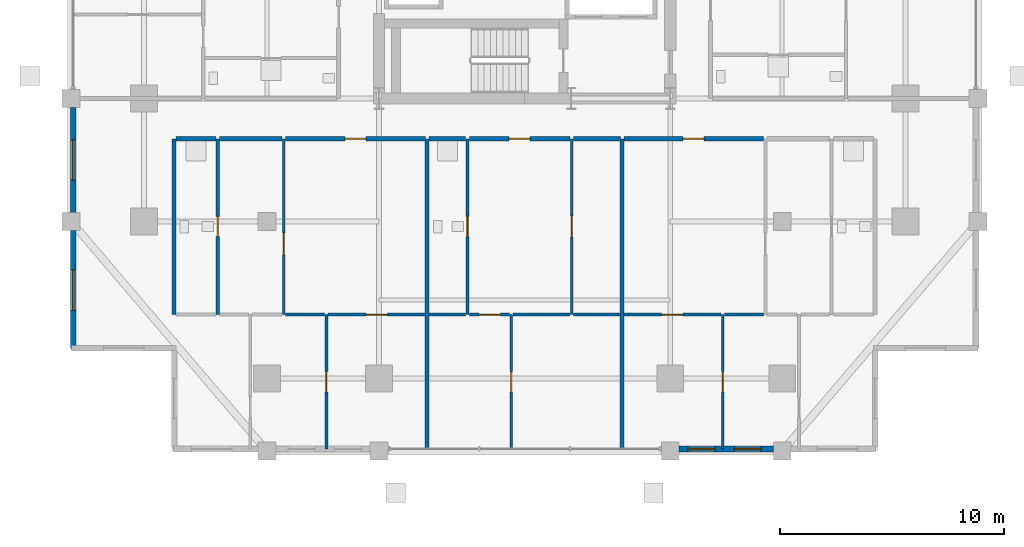
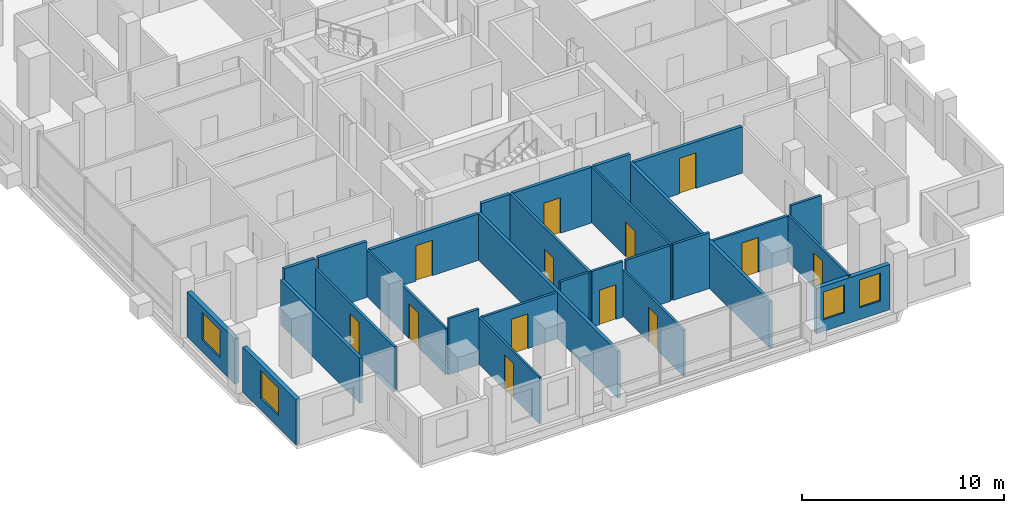
# One storey, part 14 of 20: 28 walls, 13 doors, 4 windows, 17 openings.
"""IFC4 building model written with IfcOpenShell, lengths in metres."""

from ifc_helpers import new_model, si_unit, direction, frame, frame_2d, origin, place, context, subcontext, project, spatial, rectangle, extrude, material, layer, layer_set, type_object, element, fill, save


model = new_model("IFC4")

# Units and contexts
model_context = context("Model", 3, precision=1e-05, world=origin(), true_north=direction((0.0, 1.0)))
body_context = subcontext(model_context, "Body", "Model", "MODEL_VIEW")
ifc_project = project(units=[si_unit("LENGTHUNIT", "METRE"), si_unit("AREAUNIT", "SQUARE_METRE"), si_unit("VOLUMEUNIT", "CUBIC_METRE"), si_unit("PLANEANGLEUNIT", "RADIAN"), si_unit("MASSUNIT", "GRAM", prefix="KILO")], contexts=[model_context])

# Site, building, storey
site_placement = place(None, origin())
site = spatial("IfcSite", under=ifc_project, at=site_placement, CompositionType="ELEMENT")
building_placement = place(site_placement, origin())
building = spatial("IfcBuilding", under=site, at=building_placement, Name="Barlavira Tower and Art Museum", CompositionType="ELEMENT")
storey_placement = place(building_placement, frame((0.0, 0.0, 102.60009765625)))
storey = spatial("IfcBuildingStorey", under=building, at=storey_placement, Name="L25", CompositionType="ELEMENT", Elevation=102.60009765625)

# Wall, opening, door
ifc_material_1 = material(Name="Gypsum acoustic stud partition", Category="gypsum")
ifc_layer_1 = layer(ifc_material_1, 0.1201171875, Name="Gypsum acoustic stud partition")
ifc_layer_set_1 = layer_set([ifc_layer_1], Name="Gypsum acoustic stud partition")
wall_type_1 = type_object("IfcWallType", Name="Apartment Internal Acoustic Partition 120", PredefinedType="PARTITIONING", material=ifc_layer_set_1)
wall_1_placement = place(storey_placement, frame((-10.75, -17.14990234375, 0.0), z_axis=(0.0, 0.0, 1.0), x_axis=(0.0, 1.0, 0.0)))
wall_1 = element("IfcWall", 1, at=wall_1_placement, inside=storey, type_object=wall_type_1, Name="L25 Partition Wall 8", PredefinedType="PARTITIONING", context=body_context, shape_type="SweptSolid", body=[
    extrude(rectangle(XDim=7.849853515625, YDim=0.1201171875, at=frame_2d((3.9248046875, 0.0))), origin(), (0.0, 0.0, 1.0), 2.81591796875),
])
opening_1_placement = place(wall_1_placement, frame((2.681396484375, 0.0, 0.0)))
opening_1 = element("IfcOpeningElement", 2, at=opening_1_placement, cuts=wall_1, Name="Opening D-02", PredefinedType="OPENING", context=body_context, shape_type="SweptSolid", body=[
    extrude(rectangle(XDim=0.949951171875, YDim=2.10009765625, at=frame_2d((0.47509765625, 1.050048828125))), frame((0.0, 0.070068359375, 0.0), z_axis=(0.0, -1.0, 0.0), x_axis=(1.0, 0.0, 0.0)), (0.0, 0.0, 1.0), 0.14013671875),
])
ifc_material_2 = material(Name="Engineered coastal hardwood", Category="wood")
door_type_1 = type_object("IfcDoorType", Name="Living and Salon Glazed-Leaf Door 950x2100", OperationType="NOTDEFINED", PredefinedType="DOOR", material=ifc_material_2)
door_1_placement = place(opening_1_placement, origin())
door_1 = element("IfcDoor", 3, at=door_1_placement, inside=storey, type_object=door_type_1, Name="Apartment S1 Kitchen Door", OperationType="SINGLE_SWING_RIGHT", OverallHeight=2.10009765625, OverallWidth=0.949951171875, PredefinedType="DOOR", context=body_context, shape_type="SweptSolid", body=[
    extrude(rectangle(XDim=0.949951171875, YDim=2.10009765625, at=frame_2d((0.47509765625, 1.050048828125))), frame((0.0, 0.02490234375, 0.0), z_axis=(0.0, -1.0, 0.0), x_axis=(1.0, 0.0, 0.0)), (0.0, 0.0, 1.0), 0.050048828125),
])
fill(opening_1, door_1)

wall_2_placement = place(storey_placement, frame((-8.85009765625, -23.14990234375, 0.0), z_axis=(0.0, 0.0, 1.0), x_axis=(0.0, 1.0, 0.0)))
wall_2 = element("IfcWall", 4, at=wall_2_placement, inside=storey, type_object=wall_type_1, Name="L25 Partition Wall 9", PredefinedType="PARTITIONING", context=body_context, shape_type="SweptSolid", body=[
    extrude(rectangle(XDim=6.0, YDim=0.1201171875, at=frame_2d((3.0, 0.0))), origin(), (0.0, 0.0, 1.0), 2.81591796875),
])
opening_2_placement = place(wall_2_placement, frame((2.550048828125, 0.0, 0.0)))
opening_2 = element("IfcOpeningElement", 5, at=opening_2_placement, cuts=wall_2, Name="Opening D-01", PredefinedType="OPENING", context=body_context, shape_type="SweptSolid", body=[
    extrude(rectangle(XDim=0.89990234375, YDim=2.10009765625, at=frame_2d((0.449951171875, 1.050048828125))), frame((0.0, 0.070068359375, 0.0), z_axis=(0.0, -1.0, 0.0), x_axis=(1.0, 0.0, 0.0)), (0.0, 0.0, 1.0), 0.14013671875),
])
door_type_2 = type_object("IfcDoorType", Name="Internal Bedroom Timber Flush Door 900x2100", OperationType="NOTDEFINED", PredefinedType="DOOR", material=ifc_material_2)
door_2_placement = place(opening_2_placement, origin())
door_2 = element("IfcDoor", 6, at=door_2_placement, inside=storey, type_object=door_type_2, Name="Apartment S1 Bedroom 1 Door", OperationType="SINGLE_SWING_LEFT", OverallHeight=2.10009765625, OverallWidth=0.89990234375, PredefinedType="DOOR", context=body_context, shape_type="SweptSolid", body=[
    extrude(rectangle(XDim=0.89990234375, YDim=2.10009765625, at=frame_2d((0.449951171875, 1.050048828125))), frame((0.0, 0.02490234375, 0.0), z_axis=(0.0, -1.0, 0.0), x_axis=(1.0, 0.0, 0.0)), (0.0, 0.0, 1.0), 0.050048828125),
])
fill(opening_2, door_2)

wall_3_placement = place(storey_placement, frame((-0.60009765625, -23.14990234375, 0.0), z_axis=(0.0, 0.0, 1.0), x_axis=(0.0, 1.0, 0.0)))
wall_3 = element("IfcWall", 7, at=wall_3_placement, inside=storey, type_object=wall_type_1, Name="L25 Partition Wall 15", PredefinedType="PARTITIONING", context=body_context, shape_type="SweptSolid", body=[
    extrude(rectangle(XDim=6.0, YDim=0.1201171875, at=frame_2d((3.0, 0.0))), origin(), (0.0, 0.0, 1.0), 2.81591796875),
])
opening_3_placement = place(wall_3_placement, frame((2.550048828125, 0.0, 0.0)))
opening_3 = element("IfcOpeningElement", 8, at=opening_3_placement, cuts=wall_3, Name="Opening D-01", PredefinedType="OPENING", context=body_context, shape_type="SweptSolid", body=[
    extrude(rectangle(XDim=0.89990234375, YDim=2.10009765625, at=frame_2d((0.449951171875, 1.050048828125))), frame((0.0, 0.070068359375, 0.0), z_axis=(0.0, -1.0, 0.0), x_axis=(1.0, 0.0, 0.0)), (0.0, 0.0, 1.0), 0.14013671875),
])
door_3_placement = place(opening_3_placement, origin())
door_3 = element("IfcDoor", 9, at=door_3_placement, inside=storey, type_object=door_type_2, Name="Apartment S2 Bedroom 1 Door", OperationType="SINGLE_SWING_LEFT", OverallHeight=2.10009765625, OverallWidth=0.89990234375, PredefinedType="DOOR", context=body_context, shape_type="SweptSolid", body=[
    extrude(rectangle(XDim=0.89990234375, YDim=2.10009765625, at=frame_2d((0.449951171875, 1.050048828125))), frame((0.0, 0.02490234375, 0.0), z_axis=(0.0, -1.0, 0.0), x_axis=(1.0, 0.0, 0.0)), (0.0, 0.0, 1.0), 0.050048828125),
])
fill(opening_3, door_3)

wall_4_placement = place(storey_placement, frame((2.10009765625, -17.14990234375, 0.0), z_axis=(0.0, 0.0, 1.0), x_axis=(0.0, 1.0, 0.0)))
wall_4 = element("IfcWall", 10, at=wall_4_placement, inside=storey, type_object=wall_type_1, Name="L25 Partition Wall 17", PredefinedType="PARTITIONING", context=body_context, shape_type="SweptSolid", body=[
    extrude(rectangle(XDim=7.849853515625, YDim=0.1201171875, at=frame_2d((3.9248046875, 0.0))), origin(), (0.0, 0.0, 1.0), 3.3798828125),
])
opening_4_placement = place(wall_4_placement, frame((3.455078125, 0.0, 0.0)))
opening_4 = element("IfcOpeningElement", 11, at=opening_4_placement, cuts=wall_4, Name="Opening D-02", PredefinedType="OPENING", context=body_context, shape_type="SweptSolid", body=[
    extrude(rectangle(XDim=0.949951171875, YDim=2.10009765625, at=frame_2d((0.47509765625, 1.050048828125))), frame((0.0, 0.070068359375, 0.0), z_axis=(0.0, -1.0, 0.0), x_axis=(1.0, 0.0, 0.0)), (0.0, 0.0, 1.0), 0.14013671875),
])
door_4_placement = place(opening_4_placement, origin())
door_4 = element("IfcDoor", 12, at=door_4_placement, inside=storey, type_object=door_type_1, Name="Apartment S2 Kitchen Door", OperationType="SINGLE_SWING_LEFT", OverallHeight=2.10009765625, OverallWidth=0.949951171875, PredefinedType="DOOR", context=body_context, shape_type="SweptSolid", body=[
    extrude(rectangle(XDim=0.949951171875, YDim=2.10009765625, at=frame_2d((0.47509765625, 1.050048828125))), frame((0.0, 0.02490234375, 0.0), z_axis=(0.0, -1.0, 0.0), x_axis=(1.0, 0.0, 0.0)), (0.0, 0.0, 1.0), 0.050048828125),
])
fill(opening_4, door_4)

wall_5_placement = place(storey_placement, frame((8.85009765625, -23.14990234375, 0.0), z_axis=(0.0, 0.0, 1.0), x_axis=(0.0, 1.0, 0.0)))
wall_5 = element("IfcWall", 13, at=wall_5_placement, inside=storey, type_object=wall_type_1, Name="L25 Partition Wall 22", PredefinedType="PARTITIONING", context=body_context, shape_type="SweptSolid", body=[
    extrude(rectangle(XDim=6.0, YDim=0.1201171875, at=frame_2d((3.0, 0.0))), origin(), (0.0, 0.0, 1.0), 2.81591796875),
])
opening_5_placement = place(wall_5_placement, frame((2.550048828125, 0.0, 0.0)))
opening_5 = element("IfcOpeningElement", 14, at=opening_5_placement, cuts=wall_5, Name="Opening D-01", PredefinedType="OPENING", context=body_context, shape_type="SweptSolid", body=[
    extrude(rectangle(XDim=0.89990234375, YDim=2.10009765625, at=frame_2d((0.449951171875, 1.050048828125))), frame((0.0, 0.070068359375, 0.0), z_axis=(0.0, -1.0, 0.0), x_axis=(1.0, 0.0, 0.0)), (0.0, 0.0, 1.0), 0.14013671875),
])
door_5_placement = place(opening_5_placement, origin())
door_5 = element("IfcDoor", 15, at=door_5_placement, inside=storey, type_object=door_type_2, Name="Apartment S3 Bedroom 1 Door", OperationType="SINGLE_SWING_RIGHT", OverallHeight=2.10009765625, OverallWidth=0.89990234375, PredefinedType="DOOR", context=body_context, shape_type="SweptSolid", body=[
    extrude(rectangle(XDim=0.89990234375, YDim=2.10009765625, at=frame_2d((0.449951171875, 1.050048828125))), frame((0.0, 0.02490234375, 0.0), z_axis=(0.0, -1.0, 0.0), x_axis=(1.0, 0.0, 0.0)), (0.0, 0.0, 1.0), 0.050048828125),
])
fill(opening_5, door_5)

# Walls
ifc_layer_2 = layer(ifc_material_1, 0.179931640625, Name="Gypsum acoustic stud partition")
ifc_layer_set_2 = layer_set([ifc_layer_2], Name="Gypsum acoustic stud partition")
wall_type_2 = type_object("IfcWallType", Name="Inter-Tenancy Party Partition Wall 180", PredefinedType="PARTITIONING", material=ifc_layer_set_2)
wall_6_placement = place(storey_placement, frame((-15.64990234375, -17.14990234375, 0.0), z_axis=(0.0, 0.0, 1.0), x_axis=(0.0, 1.0, 0.0)))
element("IfcWall", 16, at=wall_6_placement, inside=storey, type_object=wall_type_2, Name="L25 Partition Wall 1", PredefinedType="PARTITIONING", context=body_context, shape_type="SweptSolid", body=[
    extrude(rectangle(XDim=7.849853515625, YDim=0.179931640625, at=frame_2d((3.9248046875, 0.0))), origin(), (0.0, 0.0, 1.0), 2.73583984375),
])
for number, where, z_axis, x_axis, name in (
    (17, (-4.35009765625, -23.14990234375, 0.0), (0.0, 0.0, 1.0), (0.0, 1.0, 0.0), "L25 Partition Wall 12"),
    (18, (4.35009765625, -23.14990234375, 0.0), (0.0, 0.0, 1.0), (0.0, 1.0, 0.0), "L25 Partition Wall 19"),
):
    element("IfcWall", number, at=place(storey_placement, frame(where, z_axis=z_axis, x_axis=x_axis)), inside=storey, type_object=wall_type_2, Name=name, PredefinedType="PARTITIONING", context=body_context, shape_type="SweptSolid", body=[
        extrude(rectangle(XDim=13.849853515625, YDim=0.179931640625, at=frame_2d((6.9248046875, 0.0))), origin(), (0.0, 0.0, 1.0), 2.81591796875),
    ])
wall_7_placement = place(storey_placement, frame((-15.570068359375, -9.300048828125, 0.0), z_axis=(0.0, 0.0, 1.0), x_axis=(1.0, 0.0, 0.0)))
element("IfcWall", 19, at=wall_7_placement, inside=storey, type_object=wall_type_2, Name="L25 Partition Wall 44", PredefinedType="PARTITIONING", context=body_context, shape_type="SweptSolid", body=[
    extrude(rectangle(XDim=1.7900390625, YDim=0.179931640625, at=frame_2d((0.89501953125, 0.0))), origin(), (0.0, 0.0, 1.0), 3.3798828125),
])
wall_8_placement = place(storey_placement, frame((-13.6201171875, -9.300048828125, 0.0), z_axis=(0.0, 0.0, 1.0), x_axis=(1.0, 0.0, 0.0)))
element("IfcWall", 20, at=wall_8_placement, inside=storey, type_object=wall_type_2, Name="L25 Partition Wall 45", PredefinedType="PARTITIONING", context=body_context, shape_type="SweptSolid", body=[
    extrude(rectangle(XDim=2.7900390625, YDim=0.179931640625, at=frame_2d((1.39501953125, 0.0))), origin(), (0.0, 0.0, 1.0), 3.3798828125),
])

# Wall, opening, door
wall_9_placement = place(storey_placement, frame((-10.669921875, -9.300048828125, 0.0), z_axis=(0.0, 0.0, 1.0), x_axis=(1.0, 0.0, 0.0)))
wall_9 = element("IfcWall", 21, at=wall_9_placement, inside=storey, type_object=wall_type_2, Name="L25 Partition Wall 46", PredefinedType="PARTITIONING", context=body_context, shape_type="SweptSolid", body=[
    extrude(rectangle(XDim=6.239990234375, YDim=0.179931640625, at=frame_2d((3.1201171875, 0.0))), origin(), (0.0, 0.0, 1.0), 2.81591796875),
])
opening_6_placement = place(wall_9_placement, frame((2.64501953125, 0.0, 0.0)))
opening_6 = element("IfcOpeningElement", 22, at=opening_6_placement, cuts=wall_9, Name="Opening FD-60", PredefinedType="OPENING", context=body_context, shape_type="SweptSolid", body=[
    extrude(rectangle(XDim=0.949951171875, YDim=2.14990234375, at=frame_2d((0.47509765625, 1.074951171875))), frame((0.0, 0.10009765625, 0.0), z_axis=(0.0, -1.0, 0.0), x_axis=(1.0, 0.0, 0.0)), (0.0, 0.0, 1.0), 0.199951171875),
])
ifc_material_3 = material(Name="Brushed stainless steel", Category="steel")
door_type_3 = type_object("IfcDoorType", Name="Apartment Entrance and Riser Fire Door 950x2150 FD60S", OperationType="NOTDEFINED", PredefinedType="DOOR", material=ifc_material_3)
door_6_placement = place(opening_6_placement, origin())
door_6 = element("IfcDoor", 23, at=door_6_placement, inside=storey, type_object=door_type_3, Name="Apartment Entrance Hall S1 Door", OperationType="SINGLE_SWING_LEFT", OverallHeight=2.14990234375, OverallWidth=0.949951171875, PredefinedType="DOOR", context=body_context, shape_type="SweptSolid", body=[
    extrude(rectangle(XDim=0.949951171875, YDim=2.14990234375, at=frame_2d((0.47509765625, 1.074951171875))), frame((0.0, 0.02490234375, 0.0), z_axis=(0.0, -1.0, 0.0), x_axis=(1.0, 0.0, 0.0)), (0.0, 0.0, 1.0), 0.050048828125),
])
fill(opening_6, door_6)

# Wall
wall_10_placement = place(storey_placement, frame((-4.27001953125, -9.300048828125, 0.0), z_axis=(0.0, 0.0, 1.0), x_axis=(1.0, 0.0, 0.0)))
element("IfcWall", 24, at=wall_10_placement, inside=storey, type_object=wall_type_2, Name="L25 Partition Wall 47", PredefinedType="PARTITIONING", context=body_context, shape_type="SweptSolid", body=[
    extrude(rectangle(XDim=1.64013671875, YDim=0.179931640625, at=frame_2d((0.820068359375, 0.0))), origin(), (0.0, 0.0, 1.0), 3.3798828125),
])

# Wall, opening, door
wall_11_placement = place(storey_placement, frame((-2.469970703125, -9.300048828125, 0.0), z_axis=(0.0, 0.0, 1.0), x_axis=(1.0, 0.0, 0.0)))
wall_11 = element("IfcWall", 25, at=wall_11_placement, inside=storey, type_object=wall_type_2, Name="L25 Partition Wall 48", PredefinedType="PARTITIONING", context=body_context, shape_type="SweptSolid", body=[
    extrude(rectangle(XDim=4.489990234375, YDim=0.179931640625, at=frame_2d((2.2451171875, 0.0))), origin(), (0.0, 0.0, 1.0), 3.3798828125),
])
opening_7_placement = place(wall_11_placement, frame((1.764892578125, 0.0, 0.0)))
opening_7 = element("IfcOpeningElement", 26, at=opening_7_placement, cuts=wall_11, Name="Opening FD-60", PredefinedType="OPENING", context=body_context, shape_type="SweptSolid", body=[
    extrude(rectangle(XDim=0.949951171875, YDim=2.14990234375, at=frame_2d((0.47509765625, 1.074951171875))), frame((0.0, 0.10009765625, 0.0), z_axis=(0.0, -1.0, 0.0), x_axis=(1.0, 0.0, 0.0)), (0.0, 0.0, 1.0), 0.199951171875),
])
door_7_placement = place(opening_7_placement, origin())
door_7 = element("IfcDoor", 27, at=door_7_placement, inside=storey, type_object=door_type_3, Name="Apartment Entrance Hall S2 Door", OperationType="SINGLE_SWING_RIGHT", OverallHeight=2.14990234375, OverallWidth=0.949951171875, PredefinedType="DOOR", context=body_context, shape_type="SweptSolid", body=[
    extrude(rectangle(XDim=0.949951171875, YDim=2.14990234375, at=frame_2d((0.47509765625, 1.074951171875))), frame((0.0, 0.02490234375, 0.0), z_axis=(0.0, -1.0, 0.0), x_axis=(1.0, 0.0, 0.0)), (0.0, 0.0, 1.0), 0.050048828125),
])
fill(opening_7, door_7)

# Wall
wall_12_placement = place(storey_placement, frame((2.179931640625, -9.300048828125, 0.0), z_axis=(0.0, 0.0, 1.0), x_axis=(1.0, 0.0, 0.0)))
element("IfcWall", 28, at=wall_12_placement, inside=storey, type_object=wall_type_2, Name="L25 Partition Wall 49", PredefinedType="PARTITIONING", context=body_context, shape_type="SweptSolid", body=[
    extrude(rectangle(XDim=2.090087890625, YDim=0.179931640625, at=frame_2d((1.044921875, 0.0))), origin(), (0.0, 0.0, 1.0), 3.3798828125),
])

# Wall, opening, door
wall_13_placement = place(storey_placement, frame((4.429931640625, -9.300048828125, 0.0), z_axis=(0.0, 0.0, 1.0), x_axis=(1.0, 0.0, 0.0)))
wall_13 = element("IfcWall", 29, at=wall_13_placement, inside=storey, type_object=wall_type_2, Name="L25 Partition Wall 50", PredefinedType="PARTITIONING", context=body_context, shape_type="SweptSolid", body=[
    extrude(rectangle(XDim=6.239990234375, YDim=0.179931640625, at=frame_2d((3.1201171875, 0.0))), origin(), (0.0, 0.0, 1.0), 2.81591796875),
])
opening_8_placement = place(wall_13_placement, frame((2.635009765625, 0.0, 0.0)))
opening_8 = element("IfcOpeningElement", 30, at=opening_8_placement, cuts=wall_13, Name="Opening FD-60", PredefinedType="OPENING", context=body_context, shape_type="SweptSolid", body=[
    extrude(rectangle(XDim=0.949951171875, YDim=2.14990234375, at=frame_2d((0.47509765625, 1.074951171875))), frame((0.0, 0.10009765625, 0.0), z_axis=(0.0, -1.0, 0.0), x_axis=(1.0, 0.0, 0.0)), (0.0, 0.0, 1.0), 0.199951171875),
])
door_8_placement = place(opening_8_placement, origin())
door_8 = element("IfcDoor", 31, at=door_8_placement, inside=storey, type_object=door_type_3, Name="Apartment Entrance Hall S3 Door", OperationType="SINGLE_SWING_RIGHT", OverallHeight=2.14990234375, OverallWidth=0.949951171875, PredefinedType="DOOR", context=body_context, shape_type="SweptSolid", body=[
    extrude(rectangle(XDim=0.949951171875, YDim=2.14990234375, at=frame_2d((0.47509765625, 1.074951171875))), frame((0.0, 0.02490234375, 0.0), z_axis=(0.0, -1.0, 0.0), x_axis=(1.0, 0.0, 0.0)), (0.0, 0.0, 1.0), 0.050048828125),
])
fill(opening_8, door_8)

ifc_layer_3 = layer(ifc_material_1, 0.139892578125, Name="Gypsum acoustic stud partition")
ifc_layer_set_3 = layer_set([ifc_layer_3], Name="Gypsum acoustic stud partition")
wall_type_3 = type_object("IfcWallType", Name="Moisture-Resistant Bathroom Partition 140", PredefinedType="PARTITIONING", material=ifc_layer_set_3)
wall_14_placement = place(storey_placement, frame((-13.699951171875, -17.14990234375, 0.0), z_axis=(0.0, 0.0, 1.0), x_axis=(0.0, 1.0, 0.0)))
wall_14 = element("IfcWall", 32, at=wall_14_placement, inside=storey, type_object=wall_type_3, Name="L25 Partition Wall 4", PredefinedType="PARTITIONING", context=body_context, shape_type="SweptSolid", body=[
    extrude(rectangle(XDim=7.849853515625, YDim=0.139892578125, at=frame_2d((3.9248046875, 0.0))), origin(), (0.0, 0.0, 1.0), 2.73583984375),
])
opening_9_placement = place(wall_14_placement, frame((3.47998046875, 0.0, 0.0)))
opening_9 = element("IfcOpeningElement", 33, at=opening_9_placement, cuts=wall_14, Name="Opening D-WC", PredefinedType="OPENING", context=body_context, shape_type="SweptSolid", body=[
    extrude(rectangle(XDim=0.89990234375, YDim=2.10009765625, at=frame_2d((0.449951171875, 1.050048828125))), frame((0.0, 0.080078125, 0.0), z_axis=(0.0, -1.0, 0.0), x_axis=(1.0, 0.0, 0.0)), (0.0, 0.0, 1.0), 0.159912109375),
])
door_type_4 = type_object("IfcDoorType", Name="Accessible Bathroom Flush Door 900x2100", OperationType="NOTDEFINED", PredefinedType="DOOR", material=ifc_material_2)
door_9_placement = place(opening_9_placement, origin())
door_9 = element("IfcDoor", 34, at=door_9_placement, inside=storey, type_object=door_type_4, Name="Apartment S1 Hall Bathroom Door", OperationType="SINGLE_SWING_LEFT", OverallHeight=2.10009765625, OverallWidth=0.89990234375, PredefinedType="DOOR", context=body_context, shape_type="SweptSolid", body=[
    extrude(rectangle(XDim=0.89990234375, YDim=2.10009765625, at=frame_2d((0.449951171875, 1.050048828125))), frame((0.0, 0.02490234375, 0.0), z_axis=(0.0, -1.0, 0.0), x_axis=(1.0, 0.0, 0.0)), (0.0, 0.0, 1.0), 0.050048828125),
])
fill(opening_9, door_9)

wall_15_placement = place(storey_placement, frame((-2.550048828125, -17.14990234375, 0.0), z_axis=(0.0, 0.0, 1.0), x_axis=(0.0, 1.0, 0.0)))
wall_15 = element("IfcWall", 35, at=wall_15_placement, inside=storey, type_object=wall_type_3, Name="L25 Partition Wall 14", PredefinedType="PARTITIONING", context=body_context, shape_type="SweptSolid", body=[
    extrude(rectangle(XDim=7.849853515625, YDim=0.139892578125, at=frame_2d((3.9248046875, 0.0))), origin(), (0.0, 0.0, 1.0), 3.3798828125),
])
opening_10_placement = place(wall_15_placement, frame((3.47998046875, 0.0, 0.0)))
opening_10 = element("IfcOpeningElement", 36, at=opening_10_placement, cuts=wall_15, Name="Opening D-WC", PredefinedType="OPENING", context=body_context, shape_type="SweptSolid", body=[
    extrude(rectangle(XDim=0.89990234375, YDim=2.10009765625, at=frame_2d((0.449951171875, 1.050048828125))), frame((0.0, 0.080078125, 0.0), z_axis=(0.0, -1.0, 0.0), x_axis=(1.0, 0.0, 0.0)), (0.0, 0.0, 1.0), 0.159912109375),
])
door_10_placement = place(opening_10_placement, origin())
door_10 = element("IfcDoor", 37, at=door_10_placement, inside=storey, type_object=door_type_4, Name="Apartment S2 Hall Bathroom Door", OperationType="SINGLE_SWING_LEFT", OverallHeight=2.10009765625, OverallWidth=0.89990234375, PredefinedType="DOOR", context=body_context, shape_type="SweptSolid", body=[
    extrude(rectangle(XDim=0.89990234375, YDim=2.10009765625, at=frame_2d((0.449951171875, 1.050048828125))), frame((0.0, 0.02490234375, 0.0), z_axis=(0.0, -1.0, 0.0), x_axis=(1.0, 0.0, 0.0)), (0.0, 0.0, 1.0), 0.050048828125),
])
fill(opening_10, door_10)

# Wall
wall_16_placement = place(storey_placement, frame((-10.669921875, -17.14990234375, 0.0), z_axis=(0.0, 0.0, 1.0), x_axis=(1.0, 0.0, 0.0)))
element("IfcWall", 38, at=wall_16_placement, inside=storey, type_object=wall_type_3, Name="L25 Partition Wall 33", PredefinedType="PARTITIONING", context=body_context, shape_type="SweptSolid", body=[
    extrude(rectangle(XDim=1.739990234375, YDim=0.139892578125, at=frame_2d((0.8701171875, 0.0))), origin(), (0.0, 0.0, 1.0), 3.3798828125),
])

# Wall, opening, door
wall_17_placement = place(storey_placement, frame((-8.77001953125, -17.14990234375, 0.0), z_axis=(0.0, 0.0, 1.0), x_axis=(1.0, 0.0, 0.0)))
wall_17 = element("IfcWall", 39, at=wall_17_placement, inside=storey, type_object=wall_type_3, Name="L25 Partition Wall 34", PredefinedType="PARTITIONING", context=body_context, shape_type="SweptSolid", body=[
    extrude(rectangle(XDim=4.340087890625, YDim=0.139892578125, at=frame_2d((2.169921875, 0.0))), origin(), (0.0, 0.0, 1.0), 2.81591796875),
])
opening_11_placement = place(wall_17_placement, frame((1.695068359375, 0.0, 0.0)))
opening_11 = element("IfcOpeningElement", 40, at=opening_11_placement, cuts=wall_17, Name="Opening D-02", PredefinedType="OPENING", context=body_context, shape_type="SweptSolid", body=[
    extrude(rectangle(XDim=0.949951171875, YDim=2.10009765625, at=frame_2d((0.47509765625, 1.050048828125))), frame((0.0, 0.080078125, 0.0), z_axis=(0.0, -1.0, 0.0), x_axis=(1.0, 0.0, 0.0)), (0.0, 0.0, 1.0), 0.159912109375),
])
door_11_placement = place(opening_11_placement, origin())
door_11 = element("IfcDoor", 41, at=door_11_placement, inside=storey, type_object=door_type_1, Name="Apartment S1 Living Lounge Door", OperationType="SINGLE_SWING_RIGHT", OverallHeight=2.10009765625, OverallWidth=0.949951171875, PredefinedType="DOOR", context=body_context, shape_type="SweptSolid", body=[
    extrude(rectangle(XDim=0.949951171875, YDim=2.10009765625, at=frame_2d((0.47509765625, 1.050048828125))), frame((0.0, 0.02490234375, 0.0), z_axis=(0.0, -1.0, 0.0), x_axis=(1.0, 0.0, 0.0)), (0.0, 0.0, 1.0), 0.050048828125),
])
fill(opening_11, door_11)

# Wall
wall_18_placement = place(storey_placement, frame((-4.27001953125, -17.14990234375, 0.0), z_axis=(0.0, 0.0, 1.0), x_axis=(1.0, 0.0, 0.0)))
element("IfcWall", 42, at=wall_18_placement, inside=storey, type_object=wall_type_3, Name="L25 Partition Wall 35", PredefinedType="PARTITIONING", context=body_context, shape_type="SweptSolid", body=[
    extrude(rectangle(XDim=1.64013671875, YDim=0.139892578125, at=frame_2d((0.820068359375, 0.0))), origin(), (0.0, 0.0, 1.0), 3.3798828125),
])

# Wall, opening, door
wall_19_placement = place(storey_placement, frame((-2.469970703125, -17.14990234375, 0.0), z_axis=(0.0, 0.0, 1.0), x_axis=(1.0, 0.0, 0.0)))
wall_19 = element("IfcWall", 43, at=wall_19_placement, inside=storey, type_object=wall_type_3, Name="L25 Partition Wall 36", PredefinedType="PARTITIONING", context=body_context, shape_type="SweptSolid", body=[
    extrude(rectangle(XDim=1.7900390625, YDim=0.139892578125, at=frame_2d((0.89501953125, 0.0))), origin(), (0.0, 0.0, 1.0), 3.3798828125),
])
opening_12_placement = place(wall_19_placement, frame((0.43505859375, 0.0, 0.0)))
opening_12 = element("IfcOpeningElement", 44, at=opening_12_placement, cuts=wall_19, Name="Opening D-02", PredefinedType="OPENING", context=body_context, shape_type="SweptSolid", body=[
    extrude(rectangle(XDim=0.949951171875, YDim=2.10009765625, at=frame_2d((0.47509765625, 1.050048828125))), frame((0.0, 0.080078125, 0.0), z_axis=(0.0, -1.0, 0.0), x_axis=(1.0, 0.0, 0.0)), (0.0, 0.0, 1.0), 0.159912109375),
])
door_12_placement = place(opening_12_placement, origin())
door_12 = element("IfcDoor", 45, at=door_12_placement, inside=storey, type_object=door_type_1, Name="Apartment S2 Living Lounge Door", OperationType="SINGLE_SWING_RIGHT", OverallHeight=2.10009765625, OverallWidth=0.949951171875, PredefinedType="DOOR", context=body_context, shape_type="SweptSolid", body=[
    extrude(rectangle(XDim=0.949951171875, YDim=2.10009765625, at=frame_2d((0.47509765625, 1.050048828125))), frame((0.0, 0.02490234375, 0.0), z_axis=(0.0, -1.0, 0.0), x_axis=(1.0, 0.0, 0.0)), (0.0, 0.0, 1.0), 0.050048828125),
])
fill(opening_12, door_12)

# Walls
wall_20_placement = place(storey_placement, frame((-0.52001953125, -17.14990234375, 0.0), z_axis=(0.0, 0.0, 1.0), x_axis=(1.0, 0.0, 0.0)))
element("IfcWall", 46, at=wall_20_placement, inside=storey, type_object=wall_type_3, Name="L25 Partition Wall 37", PredefinedType="PARTITIONING", context=body_context, shape_type="SweptSolid", body=[
    extrude(rectangle(XDim=2.5400390625, YDim=0.139892578125, at=frame_2d((1.27001953125, 0.0))), origin(), (0.0, 0.0, 1.0), 3.3798828125),
])
wall_21_placement = place(storey_placement, frame((2.179931640625, -17.14990234375, 0.0), z_axis=(0.0, 0.0, 1.0), x_axis=(1.0, 0.0, 0.0)))
element("IfcWall", 47, at=wall_21_placement, inside=storey, type_object=wall_type_3, Name="L25 Partition Wall 38", PredefinedType="PARTITIONING", context=body_context, shape_type="SweptSolid", body=[
    extrude(rectangle(XDim=2.090087890625, YDim=0.139892578125, at=frame_2d((1.044921875, 0.0))), origin(), (0.0, 0.0, 1.0), 3.3798828125),
])

# Wall, opening, door
wall_22_placement = place(storey_placement, frame((4.429931640625, -17.14990234375, 0.0), z_axis=(0.0, 0.0, 1.0), x_axis=(1.0, 0.0, 0.0)))
wall_22 = element("IfcWall", 48, at=wall_22_placement, inside=storey, type_object=wall_type_3, Name="L25 Partition Wall 39", PredefinedType="PARTITIONING", context=body_context, shape_type="SweptSolid", body=[
    extrude(rectangle(XDim=4.340087890625, YDim=0.139892578125, at=frame_2d((2.169921875, 0.0))), origin(), (0.0, 0.0, 1.0), 2.81591796875),
])
opening_13_placement = place(wall_22_placement, frame((1.68505859375, 0.0, 0.0)))
opening_13 = element("IfcOpeningElement", 49, at=opening_13_placement, cuts=wall_22, Name="Opening D-02", PredefinedType="OPENING", context=body_context, shape_type="SweptSolid", body=[
    extrude(rectangle(XDim=0.949951171875, YDim=2.10009765625, at=frame_2d((0.47509765625, 1.050048828125))), frame((0.0, 0.080078125, 0.0), z_axis=(0.0, -1.0, 0.0), x_axis=(1.0, 0.0, 0.0)), (0.0, 0.0, 1.0), 0.159912109375),
])
door_13_placement = place(opening_13_placement, origin())
door_13 = element("IfcDoor", 50, at=door_13_placement, inside=storey, type_object=door_type_1, Name="Apartment S3 Living Lounge Door", OperationType="SINGLE_SWING_LEFT", OverallHeight=2.10009765625, OverallWidth=0.949951171875, PredefinedType="DOOR", context=body_context, shape_type="SweptSolid", body=[
    extrude(rectangle(XDim=0.949951171875, YDim=2.10009765625, at=frame_2d((0.47509765625, 1.050048828125))), frame((0.0, 0.02490234375, 0.0), z_axis=(0.0, -1.0, 0.0), x_axis=(1.0, 0.0, 0.0)), (0.0, 0.0, 1.0), 0.050048828125),
])
fill(opening_13, door_13)

# Wall
wall_23_placement = place(storey_placement, frame((8.929931640625, -17.14990234375, 0.0), z_axis=(0.0, 0.0, 1.0), x_axis=(1.0, 0.0, 0.0)))
element("IfcWall", 51, at=wall_23_placement, inside=storey, type_object=wall_type_3, Name="L25 Partition Wall 40", PredefinedType="PARTITIONING", context=body_context, shape_type="SweptSolid", body=[
    extrude(rectangle(XDim=1.739990234375, YDim=0.139892578125, at=frame_2d((0.8701171875, 0.0))), origin(), (0.0, 0.0, 1.0), 3.3798828125),
])

# Wall, openings, windows
ifc_material_4 = material(Name="Precast concrete C40", Category="concrete")
ifc_layer_4 = layer(ifc_material_4, 0.25, Name="Precast concrete C40")
ifc_layer_set_4 = layer_set([ifc_layer_4], Name="Precast concrete C40")
wall_type_4 = type_object("IfcWallType", Name="Notched Corner Spandrel Wall 250 Precast Concrete C40", PredefinedType="SOLIDWALL", material=ifc_layer_set_4)
wall_24_placement = place(storey_placement, frame((6.89501953125, -23.14990234375, 0.0), z_axis=(0.0, 0.0, 1.0), x_axis=(1.0, 0.0, 0.0)))
wall_24 = element("IfcWall", 52, at=wall_24_placement, inside=storey, type_object=wall_type_4, Name="L25 Coastal Facade Pier Wall CW2-L25-S-4", PredefinedType="SOLIDWALL", context=body_context, shape_type="SweptSolid", body=[
    extrude(rectangle(XDim=4.2099609375, YDim=0.25, at=frame_2d((2.10498046875, 0.0))), origin(), (0.0, 0.0, 1.0), 2.73583984375),
])
opening_14_placement = place(wall_24_placement, frame((0.405029296875, 0.0, 0.719970703125)))
opening_14 = element("IfcOpeningElement", 53, at=opening_14_placement, cuts=wall_24, Name="Opening WN-05", PredefinedType="OPENING", context=body_context, shape_type="SweptSolid", body=[
    extrude(rectangle(XDim=1.199951171875, YDim=1.679931640625, at=frame_2d((0.60009765625, 0.83984375))), frame((0.0, 0.135009765625, 0.0), z_axis=(0.0, -1.0, 0.0), x_axis=(1.0, 0.0, 0.0)), (0.0, 0.0, 1.0), 0.27001953125),
])
opening_15_placement = place(wall_24_placement, frame((2.465087890625, 0.0, 0.719970703125)))
opening_15 = element("IfcOpeningElement", 54, at=opening_15_placement, cuts=wall_24, Name="Opening WN-05", PredefinedType="OPENING", context=body_context, shape_type="SweptSolid", body=[
    extrude(rectangle(XDim=1.199951171875, YDim=1.679931640625, at=frame_2d((0.60009765625, 0.83984375))), frame((0.0, 0.135009765625, 0.0), z_axis=(0.0, -1.0, 0.0), x_axis=(1.0, 0.0, 0.0)), (0.0, 0.0, 1.0), 0.27001953125),
])
ifc_material_5 = material(Name="Low-iron coastal laminated glass", Category="glass")
window_type_1 = type_object("IfcWindowType", Name="Recessed Flank Pier Punch Window 1200x1680", PartitioningType="SINGLE_PANEL", PredefinedType="WINDOW", material=ifc_material_5)
window_1_placement = place(opening_14_placement, origin())
window_1 = element("IfcWindow", 55, at=window_1_placement, inside=storey, type_object=window_type_1, Name="L25 Punched Facade Window EWP-CW2-L25-S-4-1", OverallHeight=1.679931640625, OverallWidth=1.199951171875, PartitioningType="SINGLE_PANEL", PredefinedType="WINDOW", context=body_context, shape_type="SweptSolid", body=[
    extrude(rectangle(XDim=1.199951171875, YDim=1.679931640625, at=frame_2d((0.60009765625, 0.83984375))), frame((0.0, 0.030029296875, 0.0), z_axis=(0.0, -1.0, 0.0), x_axis=(1.0, 0.0, 0.0)), (0.0, 0.0, 1.0), 0.06005859375),
])
fill(opening_14, window_1)
window_2_placement = place(opening_15_placement, origin())
window_2 = element("IfcWindow", 56, at=window_2_placement, inside=storey, type_object=window_type_1, Name="L25 Punched Facade Window EWP-CW2-L25-S-4-2", OverallHeight=1.679931640625, OverallWidth=1.199951171875, PartitioningType="SINGLE_PANEL", PredefinedType="WINDOW", context=body_context, shape_type="SweptSolid", body=[
    extrude(rectangle(XDim=1.199951171875, YDim=1.679931640625, at=frame_2d((0.60009765625, 0.83984375))), frame((0.0, 0.030029296875, 0.0), z_axis=(0.0, -1.0, 0.0), x_axis=(1.0, 0.0, 0.0)), (0.0, 0.0, 1.0), 0.06005859375),
])
fill(opening_15, window_2)

# Wall, opening, window
wall_25_placement = place(storey_placement, frame((-20.14990234375, -7.89501953125, 0.0), z_axis=(0.0, 0.0, 1.0), x_axis=(0.0, -1.0, 0.0)))
wall_25 = element("IfcWall", 57, at=wall_25_placement, inside=storey, type_object=wall_type_4, Name="L25 Coastal Facade Pier Wall CW2-L25-W-4", PredefinedType="SOLIDWALL", context=body_context, shape_type="SweptSolid", body=[
    extrude(rectangle(XDim=4.7099609375, YDim=0.25, at=frame_2d((2.35498046875, 0.0))), origin(), (0.0, 0.0, 1.0), 2.73583984375),
])
opening_16_placement = place(wall_25_placement, frame((1.455078125, 0.0, 0.719970703125)))
opening_16 = element("IfcOpeningElement", 58, at=opening_16_placement, cuts=wall_25, Name="Opening WN-01", PredefinedType="OPENING", context=body_context, shape_type="SweptSolid", body=[
    extrude(rectangle(XDim=1.800048828125, YDim=1.679931640625, at=frame_2d((0.89990234375, 0.83984375))), frame((0.0, 0.135009765625, 0.0), z_axis=(0.0, -1.0, 0.0), x_axis=(1.0, 0.0, 0.0)), (0.0, 0.0, 1.0), 0.27001953125),
])
window_type_2 = type_object("IfcWindowType", Name="Recessed Notch Corner Punch Window 1800x1680", PartitioningType="SINGLE_PANEL", PredefinedType="WINDOW", material=ifc_material_5)
window_3_placement = place(opening_16_placement, origin())
window_3 = element("IfcWindow", 59, at=window_3_placement, inside=storey, type_object=window_type_2, Name="L25 Punched Facade Window EWP-CW2-L25-W-4-1", OverallHeight=1.679931640625, OverallWidth=1.800048828125, PartitioningType="SINGLE_PANEL", PredefinedType="WINDOW", context=body_context, shape_type="SweptSolid", body=[
    extrude(rectangle(XDim=1.800048828125, YDim=1.679931640625, at=frame_2d((0.89990234375, 0.83984375))), frame((0.0, 0.030029296875, 0.0), z_axis=(0.0, -1.0, 0.0), x_axis=(1.0, 0.0, 0.0)), (0.0, 0.0, 1.0), 0.06005859375),
])
fill(opening_16, window_3)

wall_26_placement = place(storey_placement, frame((-20.14990234375, -13.39501953125, 0.0), z_axis=(0.0, 0.0, 1.0), x_axis=(0.0, -1.0, 0.0)))
wall_26 = element("IfcWall", 60, at=wall_26_placement, inside=storey, type_object=wall_type_4, Name="L25 Coastal Facade Pier Wall CW2-L25-W-5", PredefinedType="SOLIDWALL", context=body_context, shape_type="SweptSolid", body=[
    extrude(rectangle(XDim=5.280029296875, YDim=0.25, at=frame_2d((2.64013671875, 0.0))), origin(), (0.0, 0.0, 1.0), 2.73583984375),
])
opening_17_placement = place(wall_26_placement, frame((1.762939453125, 0.0, 0.719970703125)))
opening_17 = element("IfcOpeningElement", 61, at=opening_17_placement, cuts=wall_26, Name="Opening WN-01", PredefinedType="OPENING", context=body_context, shape_type="SweptSolid", body=[
    extrude(rectangle(XDim=1.800048828125, YDim=1.679931640625, at=frame_2d((0.89990234375, 0.83984375))), frame((0.0, 0.135009765625, 0.0), z_axis=(0.0, -1.0, 0.0), x_axis=(1.0, 0.0, 0.0)), (0.0, 0.0, 1.0), 0.27001953125),
])
window_4_placement = place(opening_17_placement, origin())
window_4 = element("IfcWindow", 62, at=window_4_placement, inside=storey, type_object=window_type_2, Name="L25 Punched Facade Window EWP-CW2-L25-W-5-1", OverallHeight=1.679931640625, OverallWidth=1.800048828125, PartitioningType="SINGLE_PANEL", PredefinedType="WINDOW", context=body_context, shape_type="SweptSolid", body=[
    extrude(rectangle(XDim=1.800048828125, YDim=1.679931640625, at=frame_2d((0.89990234375, 0.83984375))), frame((0.0, 0.030029296875, 0.0), z_axis=(0.0, -1.0, 0.0), x_axis=(1.0, 0.0, 0.0)), (0.0, 0.0, 1.0), 0.06005859375),
])
fill(opening_17, window_4)

save(model, "model.ifc")
